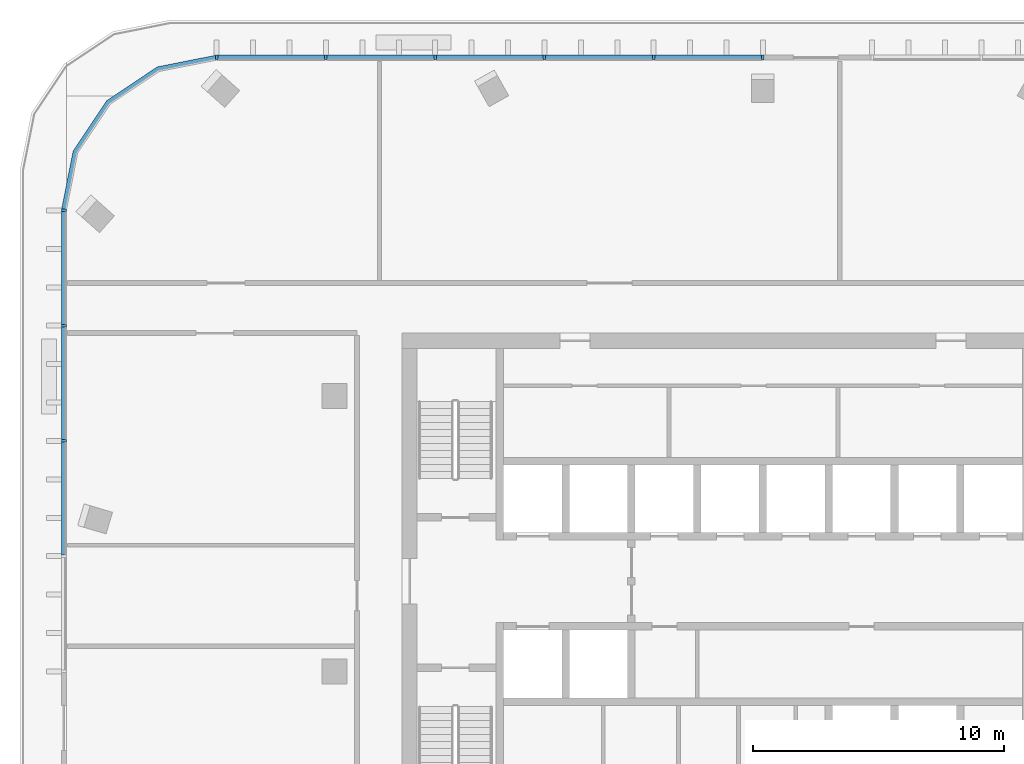
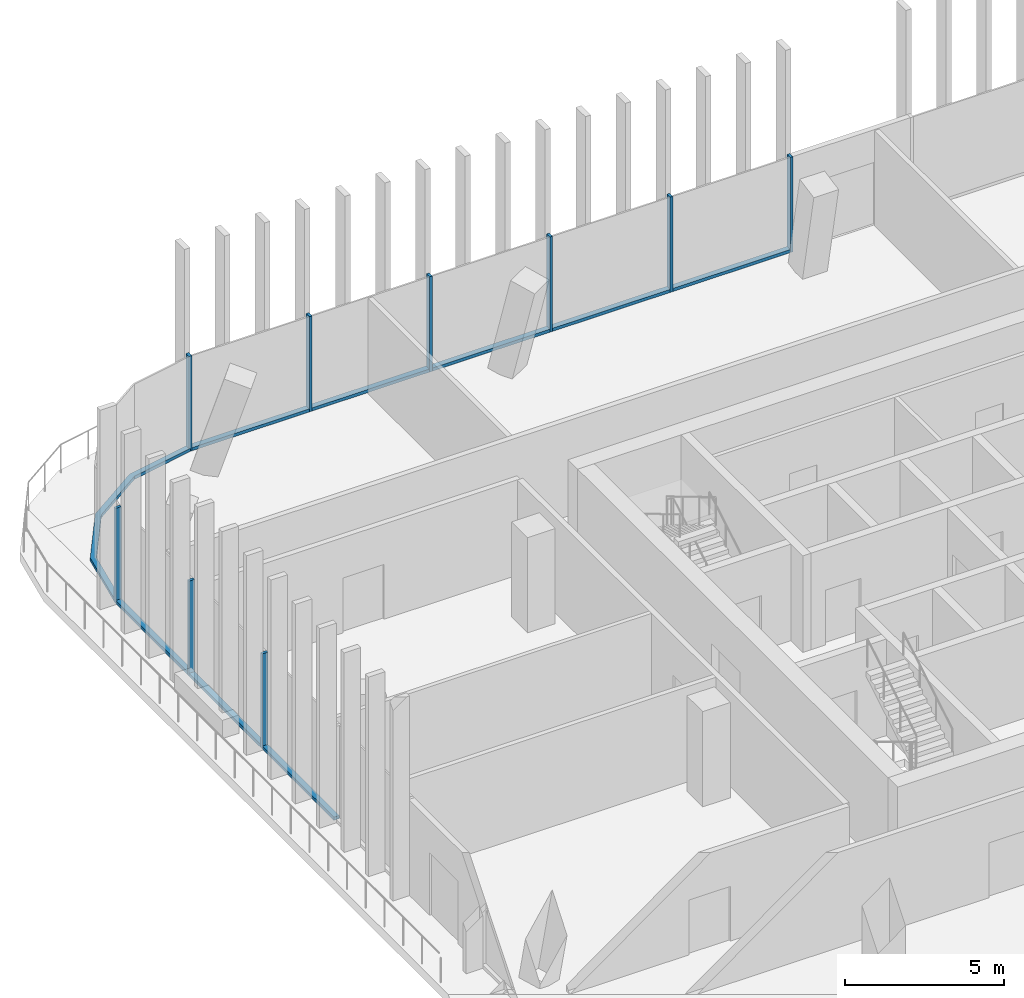
# One storey, part 4 of 16: 18 members, 3 elements without a shape of their own.
"""IFC4 building model written with IfcOpenShell, lengths in metres."""

import ifcopenshell
import ifcopenshell.guid

model = None  # the IFC model being written
_history = None  # IfcOwnerHistory: only IFC2X3 demands one
_inside = {}  # id of a spatial element -> (the spatial element, [elements in it])
_under = {}  # id of a project, library or spatial element -> (it, [spatial elements below it])
_declared = {}  # id of a project -> (the project, [libraries it declares])
_typed = {}  # id of a type object -> (the type object, [elements of that type])
_made_of = {}  # id of a material, layer set ... -> (it, [elements and type objects made of it])


def new_model(schema):
    """Start an empty IFC model of exactly this schema.

    Asked for "IFC4X3", IfcOpenShell would pick the latest addendum, in which some entities
    have other attributes; the version numbers below select the first issue.
    IFC2X3 requires an IfcOwnerHistory on every rooted entity: one is made here for all.
    """
    global model, _history
    if schema == "IFC4X3":
        model = ifcopenshell.file(schema_version=(4, 3, 0, 0))
    else:
        model = ifcopenshell.file(schema=schema)
    _inside.clear()
    _under.clear()
    _declared.clear()
    _typed.clear()
    _made_of.clear()
    _history = None
    if model.schema == "IFC2X3":
        org = make("IfcOrganization", Name="unknown")
        user = make(
            "IfcPersonAndOrganization",
            ThePerson=make("IfcPerson", FamilyName="unknown"),
            TheOrganization=org,
        )
        app = make(
            "IfcApplication",
            ApplicationDeveloper=org,
            Version="unknown",
            ApplicationFullName="unknown",
            ApplicationIdentifier="unknown",
        )
        _history = make(
            "IfcOwnerHistory",
            OwningUser=user,
            OwningApplication=app,
            ChangeAction="ADDED",
            CreationDate=0,
        )
    return model


def make(cls, **values):
    """One entity of the class cls with the attributes given. An attribute that is None is left unset."""
    return model.create_entity(
        cls, **{name: value for name, value in values.items() if value is not None}
    )


def rooted(cls, **values):
    """An entity with a GlobalId (a new one), such as an element, a storey or a relation."""
    return make(cls, GlobalId=ifcopenshell.guid.new(), OwnerHistory=_history, **values)


def si_unit(unit_type, name, prefix=None):
    """IfcSIUnit, for example si_unit("LENGTHUNIT", "METRE", prefix="MILLI")."""
    return make("IfcSIUnit", UnitType=unit_type, Prefix=prefix, Name=name)


def assignment(units):
    """IfcUnitAssignment: the units of a project."""
    return None if units is None else make("IfcUnitAssignment", Units=units)


def point(xyz):
    """IfcCartesianPoint."""
    return None if xyz is None else make("IfcCartesianPoint", Coordinates=xyz)


def direction(xyz):
    """IfcDirection."""
    return None if xyz is None else make("IfcDirection", DirectionRatios=xyz)


def frame(location, z_axis=None, x_axis=None):
    """IfcAxis2Placement3D, a coordinate frame: its origin and axes. An axis left out is left unset."""
    return make(
        "IfcAxis2Placement3D",
        Location=point(location),
        Axis=direction(z_axis),
        RefDirection=direction(x_axis),
    )


def frame_2d(location, x_axis=None):
    """IfcAxis2Placement2D, a coordinate frame in the plane: its origin and x axis."""
    return make(
        "IfcAxis2Placement2D", Location=point(location), RefDirection=direction(x_axis)
    )


def origin():
    """The frame at (0, 0, 0) with its axes left unset."""
    return frame((0.0, 0.0, 0.0))


def origin_2d():
    """The frame at (0, 0) in the plane with its x axis left unset."""
    return frame_2d((0.0, 0.0))


def place(relative_to, where):
    """IfcLocalPlacement: puts the frame where relative to a parent placement (None: the world)."""
    return make(
        "IfcLocalPlacement", PlacementRelTo=relative_to, RelativePlacement=where
    )


def context(
    kind, dimensions, precision=None, world=None, true_north=None, identifier=None
):
    """IfcGeometricRepresentationContext, for example the 3D "Model" context."""
    return make(
        "IfcGeometricRepresentationContext",
        ContextIdentifier=identifier,
        ContextType=kind,
        CoordinateSpaceDimension=dimensions,
        Precision=precision,
        WorldCoordinateSystem=world,
        TrueNorth=true_north,
    )


def subcontext(parent, identifier, kind, view, scale=None):
    """IfcGeometricRepresentationSubContext, for example "Body" below "Model"."""
    return make(
        "IfcGeometricRepresentationSubContext",
        ContextIdentifier=identifier,
        ContextType=kind,
        ParentContext=parent,
        TargetScale=scale,
        TargetView=view,
    )


def project(units=None, contexts=None):
    """IfcProject with its units and contexts."""
    return rooted(
        "IfcProject",
        Name="project",
        RepresentationContexts=contexts,
        UnitsInContext=assignment(units),
    )


def spatial(cls, under=None, at=None, **own):
    """A site, building, storey or space (cls), placed at a placement, below another one or the project."""
    s = rooted(cls, ObjectPlacement=at, **own)
    if under is not None:
        _under.setdefault(under.id(), (under, []))[1].append(s)
    return s


def polyline(points):
    """IfcPolyline through the points."""
    return make("IfcPolyline", Points=[point(p) for p in points])


def profile(cls, at=None, kind="AREA", **sizes):
    """A parametric profile (cls). Its sizes go by their IFC names, for example OverallWidth=200.0."""
    return make(cls, ProfileType=kind, Position=at, **sizes)


def rectangle(**sizes):
    """IfcRectangleProfileDef."""
    return profile("IfcRectangleProfileDef", **sizes)


def outline(outer, holes=None, kind="AREA"):
    """IfcArbitraryClosedProfileDef: a profile drawn as a closed curve; with holes, ...WithVoids."""
    if holes is None:
        return make("IfcArbitraryClosedProfileDef", ProfileType=kind, OuterCurve=outer)
    return make(
        "IfcArbitraryProfileDefWithVoids",
        ProfileType=kind,
        OuterCurve=outer,
        InnerCurves=holes,
    )


def extrude(swept, where, along, depth):
    """IfcExtrudedAreaSolid: the profile swept, set in the frame where, extruded along a direction by depth."""
    return make(
        "IfcExtrudedAreaSolid",
        SweptArea=swept,
        Position=where,
        ExtrudedDirection=direction(along),
        Depth=depth,
    )


def shape(context_of_items, identifier, shape_type, items):
    """IfcShapeRepresentation: the items that make up one representation, for example the "Body"."""
    return make(
        "IfcShapeRepresentation",
        ContextOfItems=context_of_items,
        RepresentationIdentifier=identifier,
        RepresentationType=shape_type,
        Items=items,
    )


def material(Name=None, Category=None):
    """IfcMaterial."""
    return make("IfcMaterial", Name=Name, Category=Category)


def material_profile(
    of_material, cross_section, Name=None, Category=None, Priority=None
):
    """IfcMaterialProfile: a cross section and its material."""
    return make(
        "IfcMaterialProfile",
        Name=Name,
        Material=of_material,
        Profile=cross_section,
        Priority=Priority,
        Category=Category,
    )


def profile_set(profiles, Name=None, composite=None):
    """IfcMaterialProfileSet."""
    return make(
        "IfcMaterialProfileSet",
        Name=Name,
        MaterialProfiles=profiles,
        CompositeProfile=composite,
    )


def made_of(thing, what):
    """Note that an element or type object is made of a material, layer set ...; save() writes the relation."""
    if what is not None:
        _made_of.setdefault(what.id(), (what, []))[1].append(thing)
    return thing


def type_object(cls, material=None, **own):
    """A type object (cls), such as IfcWallType, which elements share."""
    return made_of(rooted(cls, **own), material)


def element(
    cls,
    number,
    at=None,
    inside=None,
    cuts=None,
    type_object=None,
    material=None,
    context=None,
    identifier="Body",
    shape_type=None,
    held_by="IfcProductDefinitionShape",
    body=None,
    shapes=None,
    **own,
):
    """One element of the class cls, such as IfcWall. Its Tag is "e" and its number.

    at: its placement. inside: the storey or other place that contains it. cuts: it is an
    opening in that element (IfcRelVoidsElement). A single representation is given by context,
    identifier, shape_type and body (its items); several are given by shapes. held_by: the class
    of the entity that holds the representations. save() writes the other relations.
    """
    e = rooted(cls, Tag="e%d" % number, ObjectPlacement=at, **own)
    if body is not None:
        shapes = [shape(context, identifier, shape_type, body)]
    if shapes is not None:
        e.Representation = make(held_by, Representations=shapes)
    if inside is not None:
        _inside.setdefault(inside.id(), (inside, []))[1].append(e)
    if cuts is not None:
        rooted(
            "IfcRelVoidsElement", RelatingBuildingElement=cuts, RelatedOpeningElement=e
        )
    if type_object is not None:
        _typed.setdefault(type_object.id(), (type_object, []))[1].append(e)
    return made_of(e, material)


def aggregate(whole, parts):
    """IfcRelAggregates: a whole, such as a stair, and the parts it consists of."""
    return rooted("IfcRelAggregates", RelatingObject=whole, RelatedObjects=parts)


def save(model, path):
    """Write the relations noted so far, then the file.

    IfcRelAggregates (storeys below a building ...), IfcRelContainedInSpatialStructure (elements
    in a storey), IfcRelDefinesByType, IfcRelAssociatesMaterial and IfcRelDeclares: one each for
    every whole, place, type object, material and project.
    """
    for whole, parts in _under.values():
        aggregate(whole, parts)
    for where, things in _inside.values():
        rooted(
            "IfcRelContainedInSpatialStructure",
            RelatedElements=things,
            RelatingStructure=where,
        )
    for kind, things in _typed.values():
        rooted("IfcRelDefinesByType", RelatedObjects=things, RelatingType=kind)
    for what, things in _made_of.values():
        rooted("IfcRelAssociatesMaterial", RelatedObjects=things, RelatingMaterial=what)
    for by, libraries in _declared.values():
        rooted("IfcRelDeclares", RelatingContext=by, RelatedDefinitions=libraries)
    model.write(path)


model = new_model("IFC4")

# Units and contexts
model_context = context("Model", 3, precision=1e-05, world=origin(), true_north=direction((0.0, 1.0)))
body_context = subcontext(model_context, "Body", "Model", "MODEL_VIEW")
ifc_project = project(units=[si_unit("LENGTHUNIT", "METRE"), si_unit("AREAUNIT", "SQUARE_METRE"), si_unit("VOLUMEUNIT", "CUBIC_METRE"), si_unit("PLANEANGLEUNIT", "RADIAN"), si_unit("MASSUNIT", "GRAM", prefix="KILO")], contexts=[model_context])

# Site, building, storey
site_placement = place(None, origin())
site = spatial("IfcSite", under=ifc_project, at=site_placement, CompositionType="ELEMENT")
building_placement = place(site_placement, origin())
building = spatial("IfcBuilding", under=site, at=building_placement, Name="Mopane Tessera Tower", CompositionType="ELEMENT")
storey_placement = place(building_placement, frame((0.0, 0.0, 321.39990234375)))
storey = spatial("IfcBuildingStorey", under=building, at=storey_placement, Name="L70", CompositionType="ELEMENT", Elevation=321.39990234375)

# Curtain wall, members
ifc_material_1 = material(Name="Aluminium frame", Category="aluminium")
curtain_wall_type = type_object("IfcCurtainWallType", Name="Unitised curtain wall", PredefinedType="NOTDEFINED", material=ifc_material_1)
curtain_wall_1_placement = place(storey_placement, origin())
curtain_wall_1 = element("IfcCurtainWall", 1, at=curtain_wall_1_placement, inside=storey, type_object=curtain_wall_type, Name="e:cw:L70:N:5", PredefinedType="NOTDEFINED")
ifc_material_2 = material(Name="Aluminium frame", Category="aluminium")
ifc_material_profile_1 = material_profile(ifc_material_2, rectangle(XDim=0.10009765625, YDim=0.199951171875, at=origin_2d()))
ifc_profile_set_1 = profile_set([ifc_material_profile_1], Name="Aluminium frame")
member_type_1 = type_object("IfcMemberType", Name="Aluminium mullion 100 x 200", PredefinedType="MULLION", material=ifc_profile_set_1)
member_1_placement = place(storey_placement, frame((0.0, 24.5, 0.0), z_axis=(0.0, 0.0, 1.0), x_axis=(-1.0, 0.0, 0.0)))
member_1 = element("IfcMember", 2, at=member_1_placement, type_object=member_type_1, Name="e:cw:L70:N:5:mu5", PredefinedType="MULLION", context=body_context, shape_type="SweptSolid", body=[
    extrude(rectangle(XDim=0.10009765625, YDim=0.199951171875, at=origin_2d()), origin(), (0.0, 0.0, 1.0), 3.650146484375),
])
member_2_placement = place(storey_placement, frame((-4.360107421875, 24.5, 0.0), z_axis=(0.0, 0.0, 1.0), x_axis=(-1.0, 0.0, 0.0)))
member_2 = element("IfcMember", 3, at=member_2_placement, type_object=member_type_1, Name="e:cw:L70:N:5:mu6", PredefinedType="MULLION", context=body_context, shape_type="SweptSolid", body=[
    extrude(rectangle(XDim=0.10009765625, YDim=0.199951171875, at=origin_2d()), origin(), (0.0, 0.0, 1.0), 3.650146484375),
])
member_3_placement = place(storey_placement, frame((-8.719970703125, 24.5, 0.0), z_axis=(0.0, 0.0, 1.0), x_axis=(-1.0, 0.0, 0.0)))
member_3 = element("IfcMember", 4, at=member_3_placement, type_object=member_type_1, Name="e:cw:L70:N:5:mu7", PredefinedType="MULLION", context=body_context, shape_type="SweptSolid", body=[
    extrude(rectangle(XDim=0.10009765625, YDim=0.199951171875, at=origin_2d()), origin(), (0.0, 0.0, 1.0), 3.650146484375),
])
member_4_placement = place(storey_placement, frame((-13.080078125, 24.5, 0.0), z_axis=(0.0, 0.0, 1.0), x_axis=(-1.0, 0.0, 0.0)))
member_4 = element("IfcMember", 5, at=member_4_placement, type_object=member_type_1, Name="e:cw:L70:N:5:mu8", PredefinedType="MULLION", context=body_context, shape_type="SweptSolid", body=[
    extrude(rectangle(XDim=0.10009765625, YDim=0.199951171875, at=origin_2d()), origin(), (0.0, 0.0, 1.0), 3.650146484375),
])
member_5_placement = place(storey_placement, frame((-17.43994140625, 24.5, 0.0), z_axis=(0.0, 0.0, 1.0), x_axis=(-1.0, 0.0, 0.0)))
member_5 = element("IfcMember", 6, at=member_5_placement, type_object=member_type_1, Name="e:cw:L70:N:5:mu9", PredefinedType="MULLION", context=body_context, shape_type="SweptSolid", body=[
    extrude(rectangle(XDim=0.10009765625, YDim=0.199951171875, at=origin_2d()), origin(), (0.0, 0.0, 1.0), 3.650146484375),
])
member_6_placement = place(storey_placement, frame((-21.800048828125, 24.5, 0.0), z_axis=(0.0, 0.0, 1.0), x_axis=(-1.0, 0.0, 0.0)))
member_6 = element("IfcMember", 7, at=member_6_placement, type_object=member_type_1, Name="e:cw:L70:N:5:mu10", PredefinedType="MULLION", context=body_context, shape_type="SweptSolid", body=[
    extrude(rectangle(XDim=0.10009765625, YDim=0.199951171875, at=origin_2d()), origin(), (0.0, 0.0, 1.0), 3.650146484375),
])

curtain_wall_2_placement = place(storey_placement, origin())
curtain_wall_2 = element("IfcCurtainWall", 8, at=curtain_wall_2_placement, inside=storey, type_object=curtain_wall_type, Name="e:cw:L70:W:0", PredefinedType="NOTDEFINED")
member_7_placement = place(storey_placement, frame((-27.89990234375, 18.39990234375, 0.0), z_axis=(0.0, 0.0, 1.0), x_axis=(0.0, -1.0, 0.0)))
member_7 = element("IfcMember", 9, at=member_7_placement, type_object=member_type_1, Name="e:cw:L70:W:0:mu0", PredefinedType="MULLION", context=body_context, shape_type="SweptSolid", body=[
    extrude(rectangle(XDim=0.10009765625, YDim=0.199951171875, at=origin_2d()), origin(), (0.0, 0.0, 1.0), 3.650146484375),
])
member_8_placement = place(storey_placement, frame((-27.89990234375, 13.800048828125, 0.0), z_axis=(0.0, 0.0, 1.0), x_axis=(0.0, -1.0, 0.0)))
member_8 = element("IfcMember", 10, at=member_8_placement, type_object=member_type_1, Name="e:cw:L70:W:0:mu1", PredefinedType="MULLION", context=body_context, shape_type="SweptSolid", body=[
    extrude(rectangle(XDim=0.10009765625, YDim=0.199951171875, at=origin_2d()), origin(), (0.0, 0.0, 1.0), 3.650146484375),
])
member_9_placement = place(storey_placement, frame((-27.89990234375, 9.199951171875, 0.0), z_axis=(0.0, 0.0, 1.0), x_axis=(0.0, -1.0, 0.0)))
member_9 = element("IfcMember", 11, at=member_9_placement, type_object=member_type_1, Name="e:cw:L70:W:0:mu2", PredefinedType="MULLION", context=body_context, shape_type="SweptSolid", body=[
    extrude(rectangle(XDim=0.10009765625, YDim=0.199951171875, at=origin_2d()), origin(), (0.0, 0.0, 1.0), 3.650146484375),
])

# Member
ifc_material_3 = material(Name="Aluminium frame", Category="aluminium")
ifc_material_profile_2 = material_profile(ifc_material_3, rectangle(XDim=0.199951171875, YDim=0.1201171875, at=origin_2d()))
ifc_profile_set_2 = profile_set([ifc_material_profile_2], Name="Aluminium frame")
member_type_2 = type_object("IfcMemberType", Name="Aluminium transom 200 x 120", PredefinedType="USERDEFINED", material=ifc_profile_set_2)
member_10_placement = place(storey_placement, frame((-0.050048828125, 24.5, 0.06005859375), z_axis=(-1.0, 0.0, 0.0), x_axis=(0.0, -1.0, 0.0)))
member_10 = element("IfcMember", 12, at=member_10_placement, type_object=member_type_2, Name="e:cw:L70:N:5:tr5", ObjectType="TRANSOM", PredefinedType="USERDEFINED", context=body_context, shape_type="SweptSolid", body=[
    extrude(rectangle(XDim=0.199951171875, YDim=0.1201171875, at=origin_2d()), origin(), (0.0, 0.0, 1.0), 4.260009765625),
])

member_11_placement = place(storey_placement, frame((-4.409912109375, 24.5, 0.06005859375), z_axis=(-1.0, 0.0, 0.0), x_axis=(0.0, -1.0, 0.0)))
member_11 = element("IfcMember", 13, at=member_11_placement, type_object=member_type_2, Name="e:cw:L70:N:5:tr6", ObjectType="TRANSOM", PredefinedType="USERDEFINED", context=body_context, shape_type="SweptSolid", body=[
    extrude(rectangle(XDim=0.199951171875, YDim=0.1201171875, at=origin_2d()), origin(), (0.0, 0.0, 1.0), 4.260009765625),
])

member_12_placement = place(storey_placement, frame((-8.77001953125, 24.5, 0.06005859375), z_axis=(-1.0, 0.0, 0.0), x_axis=(0.0, -1.0, 0.0)))
member_12 = element("IfcMember", 14, at=member_12_placement, type_object=member_type_2, Name="e:cw:L70:N:5:tr7", ObjectType="TRANSOM", PredefinedType="USERDEFINED", context=body_context, shape_type="SweptSolid", body=[
    extrude(rectangle(XDim=0.199951171875, YDim=0.1201171875, at=origin_2d()), origin(), (0.0, 0.0, 1.0), 4.260009765625),
])

member_13_placement = place(storey_placement, frame((-13.1298828125, 24.5, 0.06005859375), z_axis=(-1.0, 0.0, 0.0), x_axis=(0.0, -1.0, 0.0)))
member_13 = element("IfcMember", 15, at=member_13_placement, type_object=member_type_2, Name="e:cw:L70:N:5:tr8", ObjectType="TRANSOM", PredefinedType="USERDEFINED", context=body_context, shape_type="SweptSolid", body=[
    extrude(rectangle(XDim=0.199951171875, YDim=0.1201171875, at=origin_2d()), origin(), (0.0, 0.0, 1.0), 4.260009765625),
])

member_14_placement = place(storey_placement, frame((-17.489990234375, 24.5, 0.06005859375), z_axis=(-1.0, 0.0, 0.0), x_axis=(0.0, -1.0, 0.0)))
member_14 = element("IfcMember", 16, at=member_14_placement, type_object=member_type_2, Name="e:cw:L70:N:5:tr9", ObjectType="TRANSOM", PredefinedType="USERDEFINED", context=body_context, shape_type="SweptSolid", body=[
    extrude(rectangle(XDim=0.199951171875, YDim=0.1201171875, at=origin_2d()), origin(), (0.0, 0.0, 1.0), 4.260009765625),
])

aggregate(curtain_wall_1, [member_1, member_2, member_3, member_4, member_5, member_6, member_10, member_11, member_12, member_13, member_14])

# Curtain wall, member
curtain_wall_3_placement = place(storey_placement, origin())
curtain_wall_3 = element("IfcCurtainWall", 17, at=curtain_wall_3_placement, inside=storey, type_object=curtain_wall_type, Name="e:cw:L70:CN", PredefinedType="NOTDEFINED")
member_15_placement = place(storey_placement, origin())
member_15 = element("IfcMember", 18, at=member_15_placement, type_object=member_type_2, Name="e:cw:L70:CN:tr", ObjectType="TRANSOM", PredefinedType="USERDEFINED", context=body_context, shape_type="SweptSolid", body=[
    extrude(outline(polyline([(-21.800048828125, 24.39990234375), (-24.09619140625, 23.943359375), (-26.042724609375, 22.642578125), (-27.34326171875, 20.696044921875), (-27.800048828125, 18.39990234375), (-28.0, 18.39990234375), (-27.528076171875, 20.772705078125), (-26.18408203125, 22.7841796875), (-24.172607421875, 24.128173828125), (-21.800048828125, 24.60009765625), (-21.800048828125, 24.39990234375)])), origin(), (0.0, 0.0, 1.0), 0.1201171875),
])
aggregate(curtain_wall_3, [member_15])

# Member
member_16_placement = place(storey_placement, frame((-27.89990234375, 18.35009765625, 0.06005859375), z_axis=(0.0, -1.0, 0.0), x_axis=(1.0, 0.0, 0.0)))
member_16 = element("IfcMember", 19, at=member_16_placement, type_object=member_type_2, Name="e:cw:L70:W:0:tr0", ObjectType="TRANSOM", PredefinedType="USERDEFINED", context=body_context, shape_type="SweptSolid", body=[
    extrude(rectangle(XDim=0.199951171875, YDim=0.1201171875, at=origin_2d()), origin(), (0.0, 0.0, 1.0), 4.5),
])

member_17_placement = place(storey_placement, frame((-27.89990234375, 13.75, 0.06005859375), z_axis=(0.0, -1.0, 0.0), x_axis=(1.0, 0.0, 0.0)))
member_17 = element("IfcMember", 20, at=member_17_placement, type_object=member_type_2, Name="e:cw:L70:W:0:tr1", ObjectType="TRANSOM", PredefinedType="USERDEFINED", context=body_context, shape_type="SweptSolid", body=[
    extrude(rectangle(XDim=0.199951171875, YDim=0.1201171875, at=origin_2d()), origin(), (0.0, 0.0, 1.0), 4.5),
])

member_18_placement = place(storey_placement, frame((-27.89990234375, 9.14990234375, 0.06005859375), z_axis=(0.0, -1.0, 0.0), x_axis=(1.0, 0.0, 0.0)))
member_18 = element("IfcMember", 21, at=member_18_placement, type_object=member_type_2, Name="e:cw:L70:W:0:tr2", ObjectType="TRANSOM", PredefinedType="USERDEFINED", context=body_context, shape_type="SweptSolid", body=[
    extrude(rectangle(XDim=0.199951171875, YDim=0.1201171875, at=origin_2d()), origin(), (0.0, 0.0, 1.0), 4.5),
])

aggregate(curtain_wall_2, [member_7, member_8, member_9, member_16, member_17, member_18])

save(model, "model.ifc")
